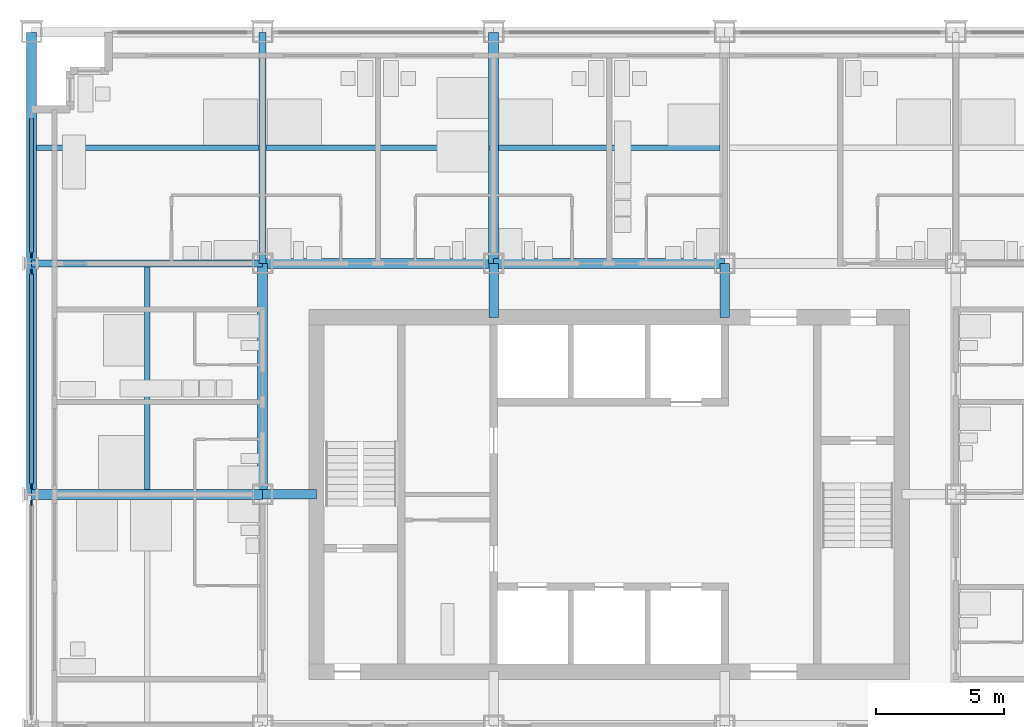
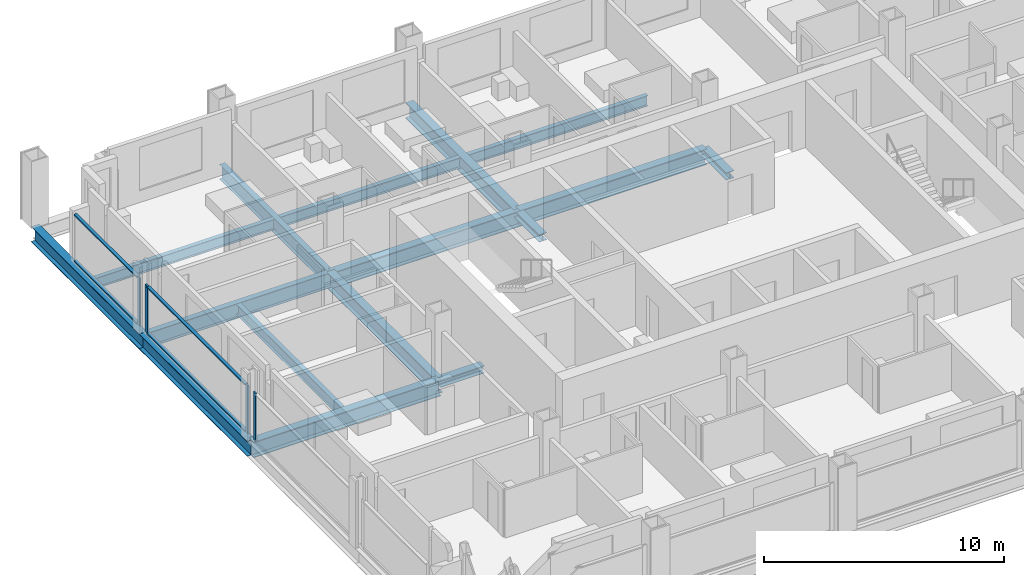
# One storey, part 4 of 17: 13 beams, 11 members, 3 elements without a shape of their own.
"""IFC4 building model written with IfcOpenShell, lengths in metres."""

from ifc_helpers import new_model, si_unit, direction, frame, origin, origin_2d, place, context, subcontext, project, spatial, rectangle, i_section, extrude, material, material_profile, profile_set, type_object, element, aggregate, save


model = new_model("IFC4")

# Units and contexts
model_context = context("Model", 3, precision=1e-05, world=origin(), true_north=direction((0.0, 1.0)))
body_context = subcontext(model_context, "Body", "Model", "MODEL_VIEW")
ifc_project = project(units=[si_unit("LENGTHUNIT", "METRE"), si_unit("AREAUNIT", "SQUARE_METRE"), si_unit("VOLUMEUNIT", "CUBIC_METRE"), si_unit("PLANEANGLEUNIT", "RADIAN"), si_unit("MASSUNIT", "GRAM", prefix="KILO")], contexts=[model_context])

# Site, building, storey
site_placement = place(None, origin())
site = spatial("IfcSite", under=ifc_project, at=site_placement, CompositionType="ELEMENT")
building_placement = place(site_placement, origin())
building = spatial("IfcBuilding", under=site, at=building_placement, Name="Loomwork Tower", CompositionType="ELEMENT")
storey_placement = place(building_placement, frame((0.0, 0.0, 145.199951171875)))
storey = spatial("IfcBuildingStorey", under=building, at=storey_placement, Name="L39", CompositionType="ELEMENT", Elevation=145.199951171875)

# Beams
ifc_material_1 = material(Name="Steel ASTM A992", Category="steel")
ifc_material_profile_1 = material_profile(ifc_material_1, i_section(OverallWidth=0.383544921875, OverallDepth=0.794921875, WebThickness=0.02099609375, FlangeThickness=0.0380859375, at=origin_2d()), Name="W30x235")
ifc_profile_set_1 = profile_set([ifc_material_profile_1], Name="Steel ASTM A992")
beam_type_1 = type_object("IfcBeamType", Name="CORE FLANK GIRDER W30x235", PredefinedType="BEAM", material=ifc_profile_set_1)
for number, where, z_axis, x_axis, name in (
    (1, (0.0, 18.0, -0.597412109375), (1.0, 0.0, 0.0), (0.0, 1.0, 0.0), "Core Flank Girder F/2-F/3 L39"),
    (2, (9.0, 27.0, -0.597412109375), (1.0, 0.0, 0.0), (0.0, 1.0, 0.0), "Core Flank Girder G/3-G/4 L39"),
    (3, (18.0, 27.0, -0.597412109375), (1.0, 0.0, 0.0), (0.0, 1.0, 0.0), "Core Flank Girder G/4-G/5 L39"),
    (4, (9.0, 18.0, -0.597412109375), (0.0, 1.0, 0.0), (-1.0, 0.0, 0.0), "Core Flank Girder F/3-G/3 L39"),
    (5, (18.0, 27.0, -0.597412109375), (0.0, 1.0, 0.0), (-1.0, 0.0, 0.0), "Core Flank Girder G/4-H/4 L39"),
):
    element("IfcBeam", number, at=place(storey_placement, frame(where, z_axis=z_axis, x_axis=x_axis)), inside=storey, type_object=beam_type_1, Name=name, PredefinedType="BEAM", context=body_context, shape_type="SweptSolid", body=[
        extrude(i_section(OverallWidth=0.383544921875, OverallDepth=0.794921875, WebThickness=0.02099609375, FlangeThickness=0.0380859375, at=origin_2d()), origin(), (0.0, 0.0, 1.0), 9.0),
    ])

# Members
ifc_material_2 = material(Name="Steel ASTM A992", Category="steel")
ifc_material_profile_2 = material_profile(ifc_material_2, i_section(OverallWidth=0.373291015625, OverallDepth=0.373291015625, WebThickness=0.016357421875, FlangeThickness=0.026123046875, at=origin_2d()), Name="W14x132")
ifc_profile_set_2 = profile_set([ifc_material_profile_2], Name="Steel ASTM A992")
member_type_1 = type_object("IfcMemberType", Name="CORE LINK STRUT W14x132", PredefinedType="STRUT", material=ifc_profile_set_2)
for number, where, z_axis, x_axis, name in (
    (6, (27.0, 27.0, -0.38671875), (0.0, -1.0, 0.0), (1.0, 0.0, 0.0), "Core link strut G/5-27.000,24.900 L39"),
    (7, (18.0, 27.0, -0.38671875), (0.0, -1.0, 0.0), (1.0, 0.0, 0.0), "Core link strut G/4-18.000,24.900 L39"),
    (8, (9.0, 18.0, -0.38671875), (1.0, 0.0, 0.0), (0.0, 1.0, 0.0), "Core link strut F/3-11.100,18.000 L39"),
):
    element("IfcMember", number, at=place(storey_placement, frame(where, z_axis=z_axis, x_axis=x_axis)), inside=storey, type_object=member_type_1, Name=name, PredefinedType="STRUT", context=body_context, shape_type="SweptSolid", body=[
        extrude(i_section(OverallWidth=0.373291015625, OverallDepth=0.373291015625, WebThickness=0.016357421875, FlangeThickness=0.026123046875, at=origin_2d()), origin(), (0.0, 0.0, 1.0), 2.10009765625),
    ])

# Beams
ifc_material_3 = material(Name="Steel ASTM A992", Category="steel")
ifc_material_profile_3 = material_profile(ifc_material_3, i_section(OverallWidth=0.2666015625, OverallDepth=0.761962890625, WebThickness=0.014404296875, FlangeThickness=0.021484375, at=origin_2d()), Name="W30x116")
ifc_profile_set_3 = profile_set([ifc_material_profile_3], Name="Steel ASTM A992")
beam_type_2 = type_object("IfcBeamType", Name="FLOOR GIRDER W30x116", PredefinedType="BEAM", material=ifc_profile_set_3)
for number, where, z_axis, x_axis, name in (
    (9, (0.0, 27.0, -0.5810546875), (1.0, 0.0, 0.0), (0.0, 1.0, 0.0), "Floor Girder G/2-G/3 L39"),
    (10, (9.0, 27.0, -0.5810546875), (0.0, 1.0, 0.0), (-1.0, 0.0, 0.0), "Floor Girder G/3-H/3 L39"),
):
    element("IfcBeam", number, at=place(storey_placement, frame(where, z_axis=z_axis, x_axis=x_axis)), inside=storey, type_object=beam_type_2, Name=name, PredefinedType="BEAM", context=body_context, shape_type="SweptSolid", body=[
        extrude(i_section(OverallWidth=0.2666015625, OverallDepth=0.761962890625, WebThickness=0.014404296875, FlangeThickness=0.021484375, at=origin_2d()), origin(), (0.0, 0.0, 1.0), 9.0),
    ])
ifc_material_4 = material(Name="Steel ASTM A992", Category="steel")
ifc_material_profile_4 = material_profile(ifc_material_4, i_section(OverallWidth=0.2109375, OverallDepth=0.53857421875, WebThickness=0.011474609375, FlangeThickness=0.018798828125, at=origin_2d()), Name="W21x73")
ifc_profile_set_4 = profile_set([ifc_material_profile_4], Name="Steel ASTM A992")
beam_type_3 = type_object("IfcBeamType", Name="FLOOR JOIST W21x73", PredefinedType="JOIST", material=ifc_profile_set_4)
beam_1_placement = place(storey_placement, frame((4.5, 18.19091796875, -0.46923828125), z_axis=(0.0, 1.0, 0.0), x_axis=(-1.0, 0.0, 0.0)))
element("IfcBeam", 11, at=beam_1_placement, inside=storey, type_object=beam_type_3, Name="Floor Joist 4.500,18.000-4.500,27.000 L39", PredefinedType="JOIST", context=body_context, shape_type="SweptSolid", body=[
    extrude(i_section(OverallWidth=0.2109375, OverallDepth=0.53857421875, WebThickness=0.011474609375, FlangeThickness=0.018798828125, at=origin_2d()), origin(), (0.0, 0.0, 1.0), 8.676025390625),
])
beam_2_placement = place(storey_placement, frame((0.18994140625, 31.5, -0.46923828125), z_axis=(1.0, 0.0, 0.0), x_axis=(0.0, 1.0, 0.0)))
element("IfcBeam", 12, at=beam_2_placement, inside=storey, type_object=beam_type_3, Name="Floor Joist 0.000,31.500-9.000,31.500 L39", PredefinedType="JOIST", context=body_context, shape_type="SweptSolid", body=[
    extrude(i_section(OverallWidth=0.2109375, OverallDepth=0.53857421875, WebThickness=0.011474609375, FlangeThickness=0.018798828125, at=origin_2d()), origin(), (0.0, 0.0, 1.0), 8.677001953125),
])
beam_3_placement = place(storey_placement, frame((9.133056640625, 31.5, -0.46923828125), z_axis=(1.0, 0.0, 0.0), x_axis=(0.0, 1.0, 0.0)))
element("IfcBeam", 13, at=beam_3_placement, inside=storey, type_object=beam_type_3, Name="Floor Joist 9.000,31.500-18.000,31.500 L39", PredefinedType="JOIST", context=body_context, shape_type="SweptSolid", body=[
    extrude(i_section(OverallWidth=0.2109375, OverallDepth=0.53857421875, WebThickness=0.011474609375, FlangeThickness=0.018798828125, at=origin_2d()), origin(), (0.0, 0.0, 1.0), 8.676025390625),
])
beam_4_placement = place(storey_placement, frame((18.19091796875, 31.5, -0.46923828125), z_axis=(1.0, 0.0, 0.0), x_axis=(0.0, 1.0, 0.0)))
element("IfcBeam", 14, at=beam_4_placement, inside=storey, type_object=beam_type_3, Name="Floor Joist 18.000,31.500-27.000,31.500 L39", PredefinedType="JOIST", context=body_context, shape_type="SweptSolid", body=[
    extrude(i_section(OverallWidth=0.2109375, OverallDepth=0.53857421875, WebThickness=0.011474609375, FlangeThickness=0.018798828125, at=origin_2d()), origin(), (0.0, 0.0, 1.0), 8.6181640625),
])

# Curtain wall, member
ifc_material_5 = material(Name="Aluminium curtain wall frame", Category="aluminium")
curtain_wall_type = type_object("IfcCurtainWallType", Name="Outer skin glazing hotel", PredefinedType="NOTDEFINED", material=ifc_material_5)
curtain_wall_1_placement = place(storey_placement, origin())
curtain_wall_1 = element("IfcCurtainWall", 15, at=curtain_wall_1_placement, inside=storey, type_object=curtain_wall_type, Name="Outer skin glazing hotel cw/W-9", PredefinedType="NOTDEFINED")
ifc_material_6 = material(Name="Aluminium curtain wall frame", Category="aluminium")
ifc_material_profile_5 = material_profile(ifc_material_6, rectangle(XDim=0.06494140625, YDim=0.199951171875, at=origin_2d()), Name="AL 65x200")
ifc_profile_set_5 = profile_set([ifc_material_profile_5], Name="Aluminium curtain wall frame")
member_type_2 = type_object("IfcMemberType", Name="Outer skin glazing hotel mullion", PredefinedType="MULLION", material=ifc_profile_set_5)
member_1_placement = place(storey_placement, frame((0.0, 17.678955078125, 0.0), z_axis=(0.0, 0.0, 1.0), x_axis=(1.0, 0.0, 0.0)))
member_1 = element("IfcMember", 16, at=member_1_placement, type_object=member_type_2, Name="CW1 mullion 1", PredefinedType="MULLION", context=body_context, shape_type="SweptSolid", body=[
    extrude(rectangle(XDim=0.06494140625, YDim=0.199951171875, at=origin_2d()), origin(), (0.0, 0.0, 1.0), 2.420166015625),
])
aggregate(curtain_wall_1, [member_1])

# Curtain wall, members
curtain_wall_2_placement = place(storey_placement, origin())
curtain_wall_2 = element("IfcCurtainWall", 17, at=curtain_wall_2_placement, inside=storey, type_object=curtain_wall_type, Name="Outer skin glazing hotel cw/W-18", PredefinedType="NOTDEFINED")
member_2_placement = place(storey_placement, frame((0.0, 26.678955078125, 0.0), z_axis=(0.0, 0.0, 1.0), x_axis=(1.0, 0.0, 0.0)))
member_2 = element("IfcMember", 18, at=member_2_placement, type_object=member_type_2, Name="CW1 mullion 1", PredefinedType="MULLION", context=body_context, shape_type="SweptSolid", body=[
    extrude(rectangle(XDim=0.06494140625, YDim=0.199951171875, at=origin_2d()), origin(), (0.0, 0.0, 1.0), 2.420166015625),
])
member_3_placement = place(storey_placement, frame((0.0, 18.321044921875, 0.0), z_axis=(0.0, 0.0, 1.0), x_axis=(1.0, 0.0, 0.0)))
member_3 = element("IfcMember", 19, at=member_3_placement, type_object=member_type_2, Name="CW1 mullion 2", PredefinedType="MULLION", context=body_context, shape_type="SweptSolid", body=[
    extrude(rectangle(XDim=0.06494140625, YDim=0.199951171875, at=origin_2d()), origin(), (0.0, 0.0, 1.0), 2.420166015625),
])

# Curtain wall, member
curtain_wall_3_placement = place(storey_placement, origin())
curtain_wall_3 = element("IfcCurtainWall", 20, at=curtain_wall_3_placement, inside=storey, type_object=curtain_wall_type, Name="Outer skin glazing hotel cw/W-27", PredefinedType="NOTDEFINED")
member_4_placement = place(storey_placement, frame((0.0, 27.321044921875, 0.0), z_axis=(0.0, 0.0, 1.0), x_axis=(1.0, 0.0, 0.0)))
member_4 = element("IfcMember", 21, at=member_4_placement, type_object=member_type_2, Name="CW1 mullion 2", PredefinedType="MULLION", context=body_context, shape_type="SweptSolid", body=[
    extrude(rectangle(XDim=0.06494140625, YDim=0.199951171875, at=origin_2d()), origin(), (0.0, 0.0, 1.0), 2.420166015625),
])

# Member
ifc_material_7 = material(Name="Aluminium curtain wall frame", Category="aluminium")
ifc_material_profile_6 = material_profile(ifc_material_7, rectangle(XDim=0.14990234375, YDim=0.06494140625, at=origin_2d()), Name="AL 65x150")
ifc_profile_set_6 = profile_set([ifc_material_profile_6], Name="Aluminium curtain wall frame")
member_type_3 = type_object("IfcMemberType", Name="Outer skin glazing hotel transom", PredefinedType="USERDEFINED", material=ifc_profile_set_6)
member_5_placement = place(storey_placement, frame((0.0, 26.5791015625, 0.032470703125), z_axis=(0.0, -1.0, 0.0), x_axis=(1.0, 0.0, 0.0)))
member_5 = element("IfcMember", 22, at=member_5_placement, type_object=member_type_3, Name="CW1 transom 1.1", ObjectType="TRANSOM", PredefinedType="USERDEFINED", context=body_context, shape_type="SweptSolid", body=[
    extrude(rectangle(XDim=0.14990234375, YDim=0.06494140625, at=origin_2d()), origin(), (0.0, 0.0, 1.0), 8.158203125),
])

member_6_placement = place(storey_placement, frame((0.0, 26.5791015625, 2.3876953125), z_axis=(0.0, -1.0, 0.0), x_axis=(1.0, 0.0, 0.0)))
member_6 = element("IfcMember", 23, at=member_6_placement, type_object=member_type_3, Name="CW1 transom 1.2", ObjectType="TRANSOM", PredefinedType="USERDEFINED", context=body_context, shape_type="SweptSolid", body=[
    extrude(rectangle(XDim=0.14990234375, YDim=0.06494140625, at=origin_2d()), origin(), (0.0, 0.0, 1.0), 8.158203125),
])

aggregate(curtain_wall_2, [member_2, member_3, member_5, member_6])

member_7_placement = place(storey_placement, frame((0.0, 32.64990234375, 0.032470703125), z_axis=(0.0, -1.0, 0.0), x_axis=(1.0, 0.0, 0.0)))
member_7 = element("IfcMember", 24, at=member_7_placement, type_object=member_type_3, Name="CW1 transom 1.1", ObjectType="TRANSOM", PredefinedType="USERDEFINED", context=body_context, shape_type="SweptSolid", body=[
    extrude(rectangle(XDim=0.14990234375, YDim=0.06494140625, at=origin_2d()), origin(), (0.0, 0.0, 1.0), 5.22900390625),
])

member_8_placement = place(storey_placement, frame((0.0, 32.64990234375, 2.3876953125), z_axis=(0.0, -1.0, 0.0), x_axis=(1.0, 0.0, 0.0)))
member_8 = element("IfcMember", 25, at=member_8_placement, type_object=member_type_3, Name="CW1 transom 1.2", ObjectType="TRANSOM", PredefinedType="USERDEFINED", context=body_context, shape_type="SweptSolid", body=[
    extrude(rectangle(XDim=0.14990234375, YDim=0.06494140625, at=origin_2d()), origin(), (0.0, 0.0, 1.0), 5.22900390625),
])

aggregate(curtain_wall_3, [member_4, member_7, member_8])

# Beams
ifc_material_8 = material(Name="Steel ASTM A992", Category="steel")
ifc_material_profile_7 = material_profile(ifc_material_8, i_section(OverallWidth=0.381103515625, OverallDepth=0.77978515625, WebThickness=0.01806640625, FlangeThickness=0.0302734375, at=origin_2d()), Name="W30x191")
ifc_profile_set_7 = profile_set([ifc_material_profile_7], Name="Steel ASTM A992")
beam_type_4 = type_object("IfcBeamType", Name="SPANDREL GIRDER W30x191", PredefinedType="SPANDREL", material=ifc_profile_set_7)
for number, where, z_axis, x_axis, name in (
    (26, (0.0, 18.0, -0.58984375), (0.0, 1.0, 0.0), (-1.0, 0.0, 0.0), "Spandrel Girder F/2-G/2 L39"),
    (27, (0.0, 27.0, -0.58984375), (0.0, 1.0, 0.0), (-1.0, 0.0, 0.0), "Spandrel Girder G/2-H/2 L39"),
):
    element("IfcBeam", number, at=place(storey_placement, frame(where, z_axis=z_axis, x_axis=x_axis)), inside=storey, type_object=beam_type_4, Name=name, PredefinedType="SPANDREL", context=body_context, shape_type="SweptSolid", body=[
        extrude(i_section(OverallWidth=0.381103515625, OverallDepth=0.77978515625, WebThickness=0.01806640625, FlangeThickness=0.0302734375, at=origin_2d()), origin(), (0.0, 0.0, 1.0), 9.0),
    ])

save(model, "model.ifc")
